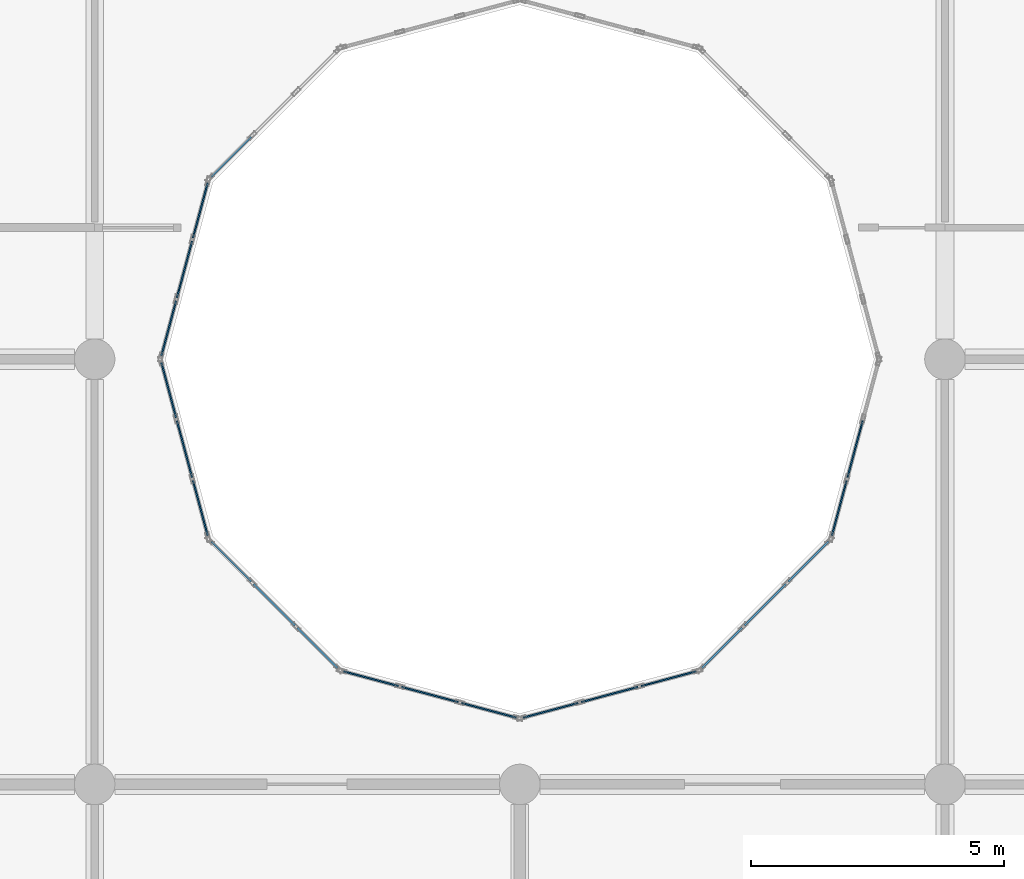
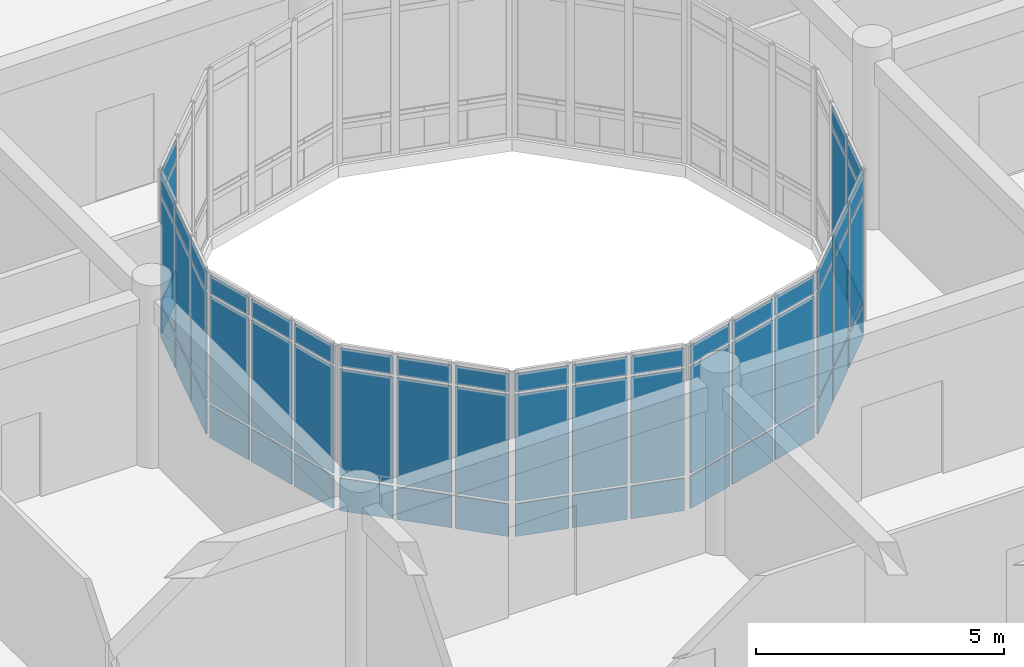
# One storey, part 81 of 144: 63 plates, 8 elements without a shape of their own.
"""IFC4 building model written with IfcOpenShell, lengths in metres."""

from ifc_helpers import new_model, si_unit, direction, frame, origin, origin_2d, place, context, subcontext, project, spatial, rectangle, extrude, material, layer, layer_set, type_object, element, aggregate, save


model = new_model("IFC4")

# Units and contexts
model_context = context("Model", 3, precision=1e-05, world=origin(), true_north=direction((0.0, 1.0)))
body_context = subcontext(model_context, "Body", "Model", "MODEL_VIEW")
ifc_project = project(units=[si_unit("LENGTHUNIT", "METRE"), si_unit("AREAUNIT", "SQUARE_METRE"), si_unit("VOLUMEUNIT", "CUBIC_METRE"), si_unit("PLANEANGLEUNIT", "RADIAN"), si_unit("MASSUNIT", "GRAM", prefix="KILO")], contexts=[model_context])

# Site, building, storey
site_placement = place(None, origin())
site = spatial("IfcSite", under=ifc_project, at=site_placement, CompositionType="ELEMENT")
building_placement = place(site_placement, origin())
building = spatial("IfcBuilding", under=site, at=building_placement, Name="Bramfleet General Hospital", CompositionType="ELEMENT")
storey_placement = place(building_placement, frame((0.0, 0.0, 4.800048828125)))
storey = spatial("IfcBuildingStorey", under=building, at=storey_placement, Name="L01", CompositionType="ELEMENT", Elevation=4.800048828125)

# Curtain wall, plates
ifc_material_1 = material(Name="Anodised aluminium and low-E triple glazing", Category="aluminium")
ifc_layer_1 = layer(ifc_material_1, 0.179931640625, Name="CWT-CW-13")
ifc_layer_set_1 = layer_set([ifc_layer_1], Name="Anodised aluminium and low-E triple glazing")
curtain_wall_type_1 = type_object("IfcCurtainWallType", Name="CWT-CW-13", PredefinedType="USERDEFINED", material=ifc_layer_set_1)
curtain_wall_1_placement = place(storey_placement, origin())
curtain_wall_1 = element("IfcCurtainWall", 1, at=curtain_wall_1_placement, inside=storey, type_object=curtain_wall_type_1, Name="L01 Central Diagnostic Light Court Curtain Wall 1.1", ObjectType="Stick curtain wall", PredefinedType="USERDEFINED")
ifc_material_2 = material(Name="Low-E laminated safety glass", Category="glass")
ifc_layer_2 = layer(ifc_material_2, 0.031982421875, Name="CWP-GLZ-2")
ifc_layer_set_2 = layer_set([ifc_layer_2], Name="Low-E laminated safety glass")
plate_type = type_object("IfcPlateType", Name="CWP-GLZ-2", PredefinedType="CURTAIN_PANEL", material=ifc_layer_set_2)
plate_1_placement = place(storey_placement, frame((77.06298828125, 74.991455078125, 0.06494140625), z_axis=(0.0, 0.0, 1.0), x_axis=(0.258763286618, -0.965940765005, 0.0)))
plate_1 = element("IfcPlate", 2, at=plate_1_placement, type_object=plate_type, Name="CW-13 panel 1.1", PredefinedType="CURTAIN_PANEL", context=body_context, shape_type="SweptSolid", body=[
    extrude(rectangle(XDim=1.1201171875, YDim=0.031982421875, at=origin_2d()), origin(), (0.0, 0.0, 1.0), 0.802490234375),
])
plate_2_placement = place(storey_placement, frame((77.06298828125, 74.991455078125, 0.932373046875), z_axis=(0.0, 0.0, 1.0), x_axis=(0.258763286618, -0.965940765005, 0.0)))
plate_2 = element("IfcPlate", 3, at=plate_2_placement, type_object=plate_type, Name="CW-13 panel 1.2", PredefinedType="CURTAIN_PANEL", context=body_context, shape_type="SweptSolid", body=[
    extrude(rectangle(XDim=1.1201171875, YDim=0.031982421875, at=origin_2d()), origin(), (0.0, 0.0, 1.0), 2.625),
])
plate_3_placement = place(storey_placement, frame((77.06298828125, 74.991455078125, 3.62255859375), z_axis=(0.0, 0.0, 1.0), x_axis=(0.258763286618, -0.965940765005, 0.0)))
plate_3 = element("IfcPlate", 4, at=plate_3_placement, type_object=plate_type, Name="CW-13 panel 1.3", PredefinedType="CURTAIN_PANEL", context=body_context, shape_type="SweptSolid", body=[
    extrude(rectangle(XDim=1.1201171875, YDim=0.031982421875, at=origin_2d()), origin(), (0.0, 0.0, 1.0), 0.452392578125),
])
plate_4_placement = place(storey_placement, frame((77.37548828125, 73.824951171875, 0.06494140625), z_axis=(0.0, 0.0, 1.0), x_axis=(0.258763286618, -0.965940765005, 0.0)))
plate_4 = element("IfcPlate", 5, at=plate_4_placement, type_object=plate_type, Name="CW-13 panel 2.1", PredefinedType="CURTAIN_PANEL", context=body_context, shape_type="SweptSolid", body=[
    extrude(rectangle(XDim=1.155029296875, YDim=0.031982421875, at=origin_2d()), origin(), (0.0, 0.0, 1.0), 0.802490234375),
])
plate_5_placement = place(storey_placement, frame((77.37548828125, 73.824951171875, 0.932373046875), z_axis=(0.0, 0.0, 1.0), x_axis=(0.258763286618, -0.965940765005, 0.0)))
plate_5 = element("IfcPlate", 6, at=plate_5_placement, type_object=plate_type, Name="CW-13 panel 2.2", PredefinedType="CURTAIN_PANEL", context=body_context, shape_type="SweptSolid", body=[
    extrude(rectangle(XDim=1.155029296875, YDim=0.031982421875, at=origin_2d()), origin(), (0.0, 0.0, 1.0), 2.625),
])
plate_6_placement = place(storey_placement, frame((77.37548828125, 73.824951171875, 3.62255859375), z_axis=(0.0, 0.0, 1.0), x_axis=(0.258763286618, -0.965940765005, 0.0)))
plate_6 = element("IfcPlate", 7, at=plate_6_placement, type_object=plate_type, Name="CW-13 panel 2.3", PredefinedType="CURTAIN_PANEL", context=body_context, shape_type="SweptSolid", body=[
    extrude(rectangle(XDim=1.155029296875, YDim=0.031982421875, at=origin_2d()), origin(), (0.0, 0.0, 1.0), 0.452392578125),
])
plate_7_placement = place(storey_placement, frame((77.68798828125, 72.65869140625, 0.06494140625), z_axis=(0.0, 0.0, 1.0), x_axis=(0.258763286618, -0.965940765005, 0.0)))
plate_7 = element("IfcPlate", 8, at=plate_7_placement, type_object=plate_type, Name="CW-13 panel 3.1", PredefinedType="CURTAIN_PANEL", context=body_context, shape_type="SweptSolid", body=[
    extrude(rectangle(XDim=1.1201171875, YDim=0.031982421875, at=origin_2d()), origin(), (0.0, 0.0, 1.0), 0.802490234375),
])
plate_8_placement = place(storey_placement, frame((77.68798828125, 72.65869140625, 0.932373046875), z_axis=(0.0, 0.0, 1.0), x_axis=(0.258763286618, -0.965940765005, 0.0)))
plate_8 = element("IfcPlate", 9, at=plate_8_placement, type_object=plate_type, Name="CW-13 panel 3.2", PredefinedType="CURTAIN_PANEL", context=body_context, shape_type="SweptSolid", body=[
    extrude(rectangle(XDim=1.1201171875, YDim=0.031982421875, at=origin_2d()), origin(), (0.0, 0.0, 1.0), 2.625),
])
plate_9_placement = place(storey_placement, frame((77.68798828125, 72.65869140625, 3.62255859375), z_axis=(0.0, 0.0, 1.0), x_axis=(0.258763286618, -0.965940765005, 0.0)))
plate_9 = element("IfcPlate", 10, at=plate_9_placement, type_object=plate_type, Name="CW-13 panel 3.3", PredefinedType="CURTAIN_PANEL", context=body_context, shape_type="SweptSolid", body=[
    extrude(rectangle(XDim=1.1201171875, YDim=0.031982421875, at=origin_2d()), origin(), (0.0, 0.0, 1.0), 0.452392578125),
])
aggregate(curtain_wall_1, [plate_1, plate_2, plate_3, plate_4, plate_5, plate_6, plate_7, plate_8, plate_9])

ifc_layer_3 = layer(ifc_material_1, 0.179931640625, Name="CWT-CW-14")
ifc_layer_set_3 = layer_set([ifc_layer_3], Name="Anodised aluminium and low-E triple glazing")
curtain_wall_type_2 = type_object("IfcCurtainWallType", Name="CWT-CW-14", PredefinedType="USERDEFINED", material=ifc_layer_set_3)
curtain_wall_2_placement = place(storey_placement, origin())
curtain_wall_2 = element("IfcCurtainWall", 11, at=curtain_wall_2_placement, inside=storey, type_object=curtain_wall_type_2, Name="L01 Central Diagnostic Light Court Curtain Wall 2.1", ObjectType="Stick curtain wall", PredefinedType="USERDEFINED")
plate_10_placement = place(storey_placement, frame((78.296630859375, 71.6044921875, 0.06494140625), z_axis=(0.0, 0.0, 1.0), x_axis=(0.707106781187, -0.707106781187, 0.0)))
plate_10 = element("IfcPlate", 12, at=plate_10_placement, type_object=plate_type, Name="CW-14 panel 1.1", PredefinedType="CURTAIN_PANEL", context=body_context, shape_type="SweptSolid", body=[
    extrude(rectangle(XDim=1.1201171875, YDim=0.031982421875, at=origin_2d()), origin(), (0.0, 0.0, 1.0), 0.802490234375),
])
plate_11_placement = place(storey_placement, frame((78.296630859375, 71.6044921875, 0.932373046875), z_axis=(0.0, 0.0, 1.0), x_axis=(0.707106781187, -0.707106781187, 0.0)))
plate_11 = element("IfcPlate", 13, at=plate_11_placement, type_object=plate_type, Name="CW-14 panel 1.2", PredefinedType="CURTAIN_PANEL", context=body_context, shape_type="SweptSolid", body=[
    extrude(rectangle(XDim=1.1201171875, YDim=0.031982421875, at=origin_2d()), origin(), (0.0, 0.0, 1.0), 2.625),
])
plate_12_placement = place(storey_placement, frame((78.296630859375, 71.6044921875, 3.62255859375), z_axis=(0.0, 0.0, 1.0), x_axis=(0.707106781187, -0.707106781187, 0.0)))
plate_12 = element("IfcPlate", 14, at=plate_12_placement, type_object=plate_type, Name="CW-14 panel 1.3", PredefinedType="CURTAIN_PANEL", context=body_context, shape_type="SweptSolid", body=[
    extrude(rectangle(XDim=1.1201171875, YDim=0.031982421875, at=origin_2d()), origin(), (0.0, 0.0, 1.0), 0.452392578125),
])
plate_13_placement = place(storey_placement, frame((79.150390625, 70.75048828125, 0.06494140625), z_axis=(0.0, 0.0, 1.0), x_axis=(0.707106781187, -0.707106781187, 0.0)))
plate_13 = element("IfcPlate", 15, at=plate_13_placement, type_object=plate_type, Name="CW-14 panel 2.1", PredefinedType="CURTAIN_PANEL", context=body_context, shape_type="SweptSolid", body=[
    extrude(rectangle(XDim=1.1552734375, YDim=0.031982421875, at=origin_2d()), origin(), (0.0, 0.0, 1.0), 0.802490234375),
])
plate_14_placement = place(storey_placement, frame((79.150390625, 70.75048828125, 0.932373046875), z_axis=(0.0, 0.0, 1.0), x_axis=(0.707106781187, -0.707106781187, 0.0)))
plate_14 = element("IfcPlate", 16, at=plate_14_placement, type_object=plate_type, Name="CW-14 panel 2.2", PredefinedType="CURTAIN_PANEL", context=body_context, shape_type="SweptSolid", body=[
    extrude(rectangle(XDim=1.1552734375, YDim=0.031982421875, at=origin_2d()), origin(), (0.0, 0.0, 1.0), 2.625),
])
plate_15_placement = place(storey_placement, frame((79.150390625, 70.75048828125, 3.62255859375), z_axis=(0.0, 0.0, 1.0), x_axis=(0.707106781187, -0.707106781187, 0.0)))
plate_15 = element("IfcPlate", 17, at=plate_15_placement, type_object=plate_type, Name="CW-14 panel 2.3", PredefinedType="CURTAIN_PANEL", context=body_context, shape_type="SweptSolid", body=[
    extrude(rectangle(XDim=1.1552734375, YDim=0.031982421875, at=origin_2d()), origin(), (0.0, 0.0, 1.0), 0.452392578125),
])
plate_16_placement = place(storey_placement, frame((80.00439453125, 69.896484375, 0.06494140625), z_axis=(0.0, 0.0, 1.0), x_axis=(0.707106781187, -0.707106781187, 0.0)))
plate_16 = element("IfcPlate", 18, at=plate_16_placement, type_object=plate_type, Name="CW-14 panel 3.1", PredefinedType="CURTAIN_PANEL", context=body_context, shape_type="SweptSolid", body=[
    extrude(rectangle(XDim=1.1201171875, YDim=0.031982421875, at=origin_2d()), origin(), (0.0, 0.0, 1.0), 0.802490234375),
])
plate_17_placement = place(storey_placement, frame((80.00439453125, 69.896484375, 0.932373046875), z_axis=(0.0, 0.0, 1.0), x_axis=(0.707106781187, -0.707106781187, 0.0)))
plate_17 = element("IfcPlate", 19, at=plate_17_placement, type_object=plate_type, Name="CW-14 panel 3.2", PredefinedType="CURTAIN_PANEL", context=body_context, shape_type="SweptSolid", body=[
    extrude(rectangle(XDim=1.1201171875, YDim=0.031982421875, at=origin_2d()), origin(), (0.0, 0.0, 1.0), 2.625),
])
plate_18_placement = place(storey_placement, frame((80.00439453125, 69.896484375, 3.62255859375), z_axis=(0.0, 0.0, 1.0), x_axis=(0.707106781187, -0.707106781187, 0.0)))
plate_18 = element("IfcPlate", 20, at=plate_18_placement, type_object=plate_type, Name="CW-14 panel 3.3", PredefinedType="CURTAIN_PANEL", context=body_context, shape_type="SweptSolid", body=[
    extrude(rectangle(XDim=1.1201171875, YDim=0.031982421875, at=origin_2d()), origin(), (0.0, 0.0, 1.0), 0.452392578125),
])
aggregate(curtain_wall_2, [plate_10, plate_11, plate_12, plate_13, plate_14, plate_15, plate_16, plate_17, plate_18])

ifc_layer_4 = layer(ifc_material_1, 0.179931640625, Name="CWT-CW-15")
ifc_layer_set_4 = layer_set([ifc_layer_4], Name="Anodised aluminium and low-E triple glazing")
curtain_wall_type_3 = type_object("IfcCurtainWallType", Name="CWT-CW-15", PredefinedType="USERDEFINED", material=ifc_layer_set_4)
curtain_wall_3_placement = place(storey_placement, origin())
curtain_wall_3 = element("IfcCurtainWall", 21, at=curtain_wall_3_placement, inside=storey, type_object=curtain_wall_type_3, Name="L01 Central Diagnostic Light Court Curtain Wall 3.1", ObjectType="Stick curtain wall", PredefinedType="USERDEFINED")
plate_19_placement = place(storey_placement, frame((81.05859375, 69.2880859375, 0.06494140625), z_axis=(0.0, 0.0, 1.0), x_axis=(0.965940765005, -0.258763286618, 0.0)))
plate_19 = element("IfcPlate", 22, at=plate_19_placement, type_object=plate_type, Name="CW-15 panel 1.1", PredefinedType="CURTAIN_PANEL", context=body_context, shape_type="SweptSolid", body=[
    extrude(rectangle(XDim=1.1201171875, YDim=0.031982421875, at=origin_2d()), origin(), (0.0, 0.0, 1.0), 0.802490234375),
])
plate_20_placement = place(storey_placement, frame((81.05859375, 69.2880859375, 0.932373046875), z_axis=(0.0, 0.0, 1.0), x_axis=(0.965940765005, -0.258763286618, 0.0)))
plate_20 = element("IfcPlate", 23, at=plate_20_placement, type_object=plate_type, Name="CW-15 panel 1.2", PredefinedType="CURTAIN_PANEL", context=body_context, shape_type="SweptSolid", body=[
    extrude(rectangle(XDim=1.1201171875, YDim=0.031982421875, at=origin_2d()), origin(), (0.0, 0.0, 1.0), 2.625),
])
plate_21_placement = place(storey_placement, frame((81.05859375, 69.2880859375, 3.62255859375), z_axis=(0.0, 0.0, 1.0), x_axis=(0.965940765005, -0.258763286618, 0.0)))
plate_21 = element("IfcPlate", 24, at=plate_21_placement, type_object=plate_type, Name="CW-15 panel 1.3", PredefinedType="CURTAIN_PANEL", context=body_context, shape_type="SweptSolid", body=[
    extrude(rectangle(XDim=1.1201171875, YDim=0.031982421875, at=origin_2d()), origin(), (0.0, 0.0, 1.0), 0.452392578125),
])
plate_22_placement = place(storey_placement, frame((82.22509765625, 68.9755859375, 0.06494140625), z_axis=(0.0, 0.0, 1.0), x_axis=(0.965940765005, -0.258763286618, 0.0)))
plate_22 = element("IfcPlate", 25, at=plate_22_placement, type_object=plate_type, Name="CW-15 panel 2.1", PredefinedType="CURTAIN_PANEL", context=body_context, shape_type="SweptSolid", body=[
    extrude(rectangle(XDim=1.155029296875, YDim=0.031982421875, at=origin_2d()), origin(), (0.0, 0.0, 1.0), 0.802490234375),
])
plate_23_placement = place(storey_placement, frame((82.22509765625, 68.9755859375, 0.932373046875), z_axis=(0.0, 0.0, 1.0), x_axis=(0.965940765005, -0.258763286618, 0.0)))
plate_23 = element("IfcPlate", 26, at=plate_23_placement, type_object=plate_type, Name="CW-15 panel 2.2", PredefinedType="CURTAIN_PANEL", context=body_context, shape_type="SweptSolid", body=[
    extrude(rectangle(XDim=1.155029296875, YDim=0.031982421875, at=origin_2d()), origin(), (0.0, 0.0, 1.0), 2.625),
])
plate_24_placement = place(storey_placement, frame((82.22509765625, 68.9755859375, 3.62255859375), z_axis=(0.0, 0.0, 1.0), x_axis=(0.965940765005, -0.258763286618, 0.0)))
plate_24 = element("IfcPlate", 27, at=plate_24_placement, type_object=plate_type, Name="CW-15 panel 2.3", PredefinedType="CURTAIN_PANEL", context=body_context, shape_type="SweptSolid", body=[
    extrude(rectangle(XDim=1.155029296875, YDim=0.031982421875, at=origin_2d()), origin(), (0.0, 0.0, 1.0), 0.452392578125),
])
plate_25_placement = place(storey_placement, frame((83.391357421875, 68.6630859375, 0.06494140625), z_axis=(0.0, 0.0, 1.0), x_axis=(0.965940765005, -0.258763286618, 0.0)))
plate_25 = element("IfcPlate", 28, at=plate_25_placement, type_object=plate_type, Name="CW-15 panel 3.1", PredefinedType="CURTAIN_PANEL", context=body_context, shape_type="SweptSolid", body=[
    extrude(rectangle(XDim=1.1201171875, YDim=0.031982421875, at=origin_2d()), origin(), (0.0, 0.0, 1.0), 0.802490234375),
])
plate_26_placement = place(storey_placement, frame((83.391357421875, 68.6630859375, 0.932373046875), z_axis=(0.0, 0.0, 1.0), x_axis=(0.965940765005, -0.258763286618, 0.0)))
plate_26 = element("IfcPlate", 29, at=plate_26_placement, type_object=plate_type, Name="CW-15 panel 3.2", PredefinedType="CURTAIN_PANEL", context=body_context, shape_type="SweptSolid", body=[
    extrude(rectangle(XDim=1.1201171875, YDim=0.031982421875, at=origin_2d()), origin(), (0.0, 0.0, 1.0), 2.625),
])
plate_27_placement = place(storey_placement, frame((83.391357421875, 68.6630859375, 3.62255859375), z_axis=(0.0, 0.0, 1.0), x_axis=(0.965940765005, -0.258763286618, 0.0)))
plate_27 = element("IfcPlate", 30, at=plate_27_placement, type_object=plate_type, Name="CW-15 panel 3.3", PredefinedType="CURTAIN_PANEL", context=body_context, shape_type="SweptSolid", body=[
    extrude(rectangle(XDim=1.1201171875, YDim=0.031982421875, at=origin_2d()), origin(), (0.0, 0.0, 1.0), 0.452392578125),
])
aggregate(curtain_wall_3, [plate_19, plate_20, plate_21, plate_22, plate_23, plate_24, plate_25, plate_26, plate_27])

ifc_layer_5 = layer(ifc_material_1, 0.179931640625, Name="CWT-CW-16")
ifc_layer_set_5 = layer_set([ifc_layer_5], Name="Anodised aluminium and low-E triple glazing")
curtain_wall_type_4 = type_object("IfcCurtainWallType", Name="CWT-CW-16", PredefinedType="USERDEFINED", material=ifc_layer_set_5)
curtain_wall_4_placement = place(storey_placement, origin())
curtain_wall_4 = element("IfcCurtainWall", 31, at=curtain_wall_4_placement, inside=storey, type_object=curtain_wall_type_4, Name="L01 Central Diagnostic Light Court Curtain Wall 4.1", ObjectType="Stick curtain wall", PredefinedType="USERDEFINED")
plate_28_placement = place(storey_placement, frame((84.608642578125, 68.6630859375, 0.06494140625), z_axis=(0.0, 0.0, 1.0), x_axis=(0.965940765005, 0.258763286618, 0.0)))
plate_28 = element("IfcPlate", 32, at=plate_28_placement, type_object=plate_type, Name="CW-16 panel 1.1", PredefinedType="CURTAIN_PANEL", context=body_context, shape_type="SweptSolid", body=[
    extrude(rectangle(XDim=1.1201171875, YDim=0.031982421875, at=origin_2d()), origin(), (0.0, 0.0, 1.0), 0.802490234375),
])
plate_29_placement = place(storey_placement, frame((84.608642578125, 68.6630859375, 0.932373046875), z_axis=(0.0, 0.0, 1.0), x_axis=(0.965940765005, 0.258763286618, 0.0)))
plate_29 = element("IfcPlate", 33, at=plate_29_placement, type_object=plate_type, Name="CW-16 panel 1.2", PredefinedType="CURTAIN_PANEL", context=body_context, shape_type="SweptSolid", body=[
    extrude(rectangle(XDim=1.1201171875, YDim=0.031982421875, at=origin_2d()), origin(), (0.0, 0.0, 1.0), 2.625),
])
plate_30_placement = place(storey_placement, frame((84.608642578125, 68.6630859375, 3.62255859375), z_axis=(0.0, 0.0, 1.0), x_axis=(0.965940765005, 0.258763286618, 0.0)))
plate_30 = element("IfcPlate", 34, at=plate_30_placement, type_object=plate_type, Name="CW-16 panel 1.3", PredefinedType="CURTAIN_PANEL", context=body_context, shape_type="SweptSolid", body=[
    extrude(rectangle(XDim=1.1201171875, YDim=0.031982421875, at=origin_2d()), origin(), (0.0, 0.0, 1.0), 0.452392578125),
])
plate_31_placement = place(storey_placement, frame((85.77490234375, 68.9755859375, 0.06494140625), z_axis=(0.0, 0.0, 1.0), x_axis=(0.965940765005, 0.258763286618, 0.0)))
plate_31 = element("IfcPlate", 35, at=plate_31_placement, type_object=plate_type, Name="CW-16 panel 2.1", PredefinedType="CURTAIN_PANEL", context=body_context, shape_type="SweptSolid", body=[
    extrude(rectangle(XDim=1.155029296875, YDim=0.031982421875, at=origin_2d()), origin(), (0.0, 0.0, 1.0), 0.802490234375),
])
plate_32_placement = place(storey_placement, frame((85.77490234375, 68.9755859375, 0.932373046875), z_axis=(0.0, 0.0, 1.0), x_axis=(0.965940765005, 0.258763286618, 0.0)))
plate_32 = element("IfcPlate", 36, at=plate_32_placement, type_object=plate_type, Name="CW-16 panel 2.2", PredefinedType="CURTAIN_PANEL", context=body_context, shape_type="SweptSolid", body=[
    extrude(rectangle(XDim=1.155029296875, YDim=0.031982421875, at=origin_2d()), origin(), (0.0, 0.0, 1.0), 2.625),
])
plate_33_placement = place(storey_placement, frame((85.77490234375, 68.9755859375, 3.62255859375), z_axis=(0.0, 0.0, 1.0), x_axis=(0.965940765005, 0.258763286618, 0.0)))
plate_33 = element("IfcPlate", 37, at=plate_33_placement, type_object=plate_type, Name="CW-16 panel 2.3", PredefinedType="CURTAIN_PANEL", context=body_context, shape_type="SweptSolid", body=[
    extrude(rectangle(XDim=1.155029296875, YDim=0.031982421875, at=origin_2d()), origin(), (0.0, 0.0, 1.0), 0.452392578125),
])
plate_34_placement = place(storey_placement, frame((86.94140625, 69.2880859375, 0.06494140625), z_axis=(0.0, 0.0, 1.0), x_axis=(0.965940765005, 0.258763286618, 0.0)))
plate_34 = element("IfcPlate", 38, at=plate_34_placement, type_object=plate_type, Name="CW-16 panel 3.1", PredefinedType="CURTAIN_PANEL", context=body_context, shape_type="SweptSolid", body=[
    extrude(rectangle(XDim=1.1201171875, YDim=0.031982421875, at=origin_2d()), origin(), (0.0, 0.0, 1.0), 0.802490234375),
])
plate_35_placement = place(storey_placement, frame((86.94140625, 69.2880859375, 0.932373046875), z_axis=(0.0, 0.0, 1.0), x_axis=(0.965940765005, 0.258763286618, 0.0)))
plate_35 = element("IfcPlate", 39, at=plate_35_placement, type_object=plate_type, Name="CW-16 panel 3.2", PredefinedType="CURTAIN_PANEL", context=body_context, shape_type="SweptSolid", body=[
    extrude(rectangle(XDim=1.1201171875, YDim=0.031982421875, at=origin_2d()), origin(), (0.0, 0.0, 1.0), 2.625),
])
plate_36_placement = place(storey_placement, frame((86.94140625, 69.2880859375, 3.62255859375), z_axis=(0.0, 0.0, 1.0), x_axis=(0.965940765005, 0.258763286618, 0.0)))
plate_36 = element("IfcPlate", 40, at=plate_36_placement, type_object=plate_type, Name="CW-16 panel 3.3", PredefinedType="CURTAIN_PANEL", context=body_context, shape_type="SweptSolid", body=[
    extrude(rectangle(XDim=1.1201171875, YDim=0.031982421875, at=origin_2d()), origin(), (0.0, 0.0, 1.0), 0.452392578125),
])
aggregate(curtain_wall_4, [plate_28, plate_29, plate_30, plate_31, plate_32, plate_33, plate_34, plate_35, plate_36])

ifc_layer_6 = layer(ifc_material_1, 0.179931640625, Name="CWT-CW-17")
ifc_layer_set_6 = layer_set([ifc_layer_6], Name="Anodised aluminium and low-E triple glazing")
curtain_wall_type_5 = type_object("IfcCurtainWallType", Name="CWT-CW-17", PredefinedType="USERDEFINED", material=ifc_layer_set_6)
curtain_wall_5_placement = place(storey_placement, origin())
curtain_wall_5 = element("IfcCurtainWall", 41, at=curtain_wall_5_placement, inside=storey, type_object=curtain_wall_type_5, Name="L01 Central Diagnostic Light Court Curtain Wall 5.1", ObjectType="Stick curtain wall", PredefinedType="USERDEFINED")
plate_37_placement = place(storey_placement, frame((87.99560546875, 69.896484375, 0.06494140625), z_axis=(0.0, 0.0, 1.0), x_axis=(0.707106781187, 0.707106781187, 0.0)))
plate_37 = element("IfcPlate", 42, at=plate_37_placement, type_object=plate_type, Name="CW-17 panel 1.1", PredefinedType="CURTAIN_PANEL", context=body_context, shape_type="SweptSolid", body=[
    extrude(rectangle(XDim=1.1201171875, YDim=0.031982421875, at=origin_2d()), origin(), (0.0, 0.0, 1.0), 0.802490234375),
])
plate_38_placement = place(storey_placement, frame((87.99560546875, 69.896484375, 0.932373046875), z_axis=(0.0, 0.0, 1.0), x_axis=(0.707106781187, 0.707106781187, 0.0)))
plate_38 = element("IfcPlate", 43, at=plate_38_placement, type_object=plate_type, Name="CW-17 panel 1.2", PredefinedType="CURTAIN_PANEL", context=body_context, shape_type="SweptSolid", body=[
    extrude(rectangle(XDim=1.1201171875, YDim=0.031982421875, at=origin_2d()), origin(), (0.0, 0.0, 1.0), 2.625),
])
plate_39_placement = place(storey_placement, frame((87.99560546875, 69.896484375, 3.62255859375), z_axis=(0.0, 0.0, 1.0), x_axis=(0.707106781187, 0.707106781187, 0.0)))
plate_39 = element("IfcPlate", 44, at=plate_39_placement, type_object=plate_type, Name="CW-17 panel 1.3", PredefinedType="CURTAIN_PANEL", context=body_context, shape_type="SweptSolid", body=[
    extrude(rectangle(XDim=1.1201171875, YDim=0.031982421875, at=origin_2d()), origin(), (0.0, 0.0, 1.0), 0.452392578125),
])
plate_40_placement = place(storey_placement, frame((88.849609375, 70.75048828125, 0.06494140625), z_axis=(0.0, 0.0, 1.0), x_axis=(0.707106781187, 0.707106781187, 0.0)))
plate_40 = element("IfcPlate", 45, at=plate_40_placement, type_object=plate_type, Name="CW-17 panel 2.1", PredefinedType="CURTAIN_PANEL", context=body_context, shape_type="SweptSolid", body=[
    extrude(rectangle(XDim=1.1552734375, YDim=0.031982421875, at=origin_2d()), origin(), (0.0, 0.0, 1.0), 0.802490234375),
])
plate_41_placement = place(storey_placement, frame((88.849609375, 70.75048828125, 0.932373046875), z_axis=(0.0, 0.0, 1.0), x_axis=(0.707106781187, 0.707106781187, 0.0)))
plate_41 = element("IfcPlate", 46, at=plate_41_placement, type_object=plate_type, Name="CW-17 panel 2.2", PredefinedType="CURTAIN_PANEL", context=body_context, shape_type="SweptSolid", body=[
    extrude(rectangle(XDim=1.1552734375, YDim=0.031982421875, at=origin_2d()), origin(), (0.0, 0.0, 1.0), 2.625),
])
plate_42_placement = place(storey_placement, frame((88.849609375, 70.75048828125, 3.62255859375), z_axis=(0.0, 0.0, 1.0), x_axis=(0.707106781187, 0.707106781187, 0.0)))
plate_42 = element("IfcPlate", 47, at=plate_42_placement, type_object=plate_type, Name="CW-17 panel 2.3", PredefinedType="CURTAIN_PANEL", context=body_context, shape_type="SweptSolid", body=[
    extrude(rectangle(XDim=1.1552734375, YDim=0.031982421875, at=origin_2d()), origin(), (0.0, 0.0, 1.0), 0.452392578125),
])
plate_43_placement = place(storey_placement, frame((89.703369140625, 71.6044921875, 0.06494140625), z_axis=(0.0, 0.0, 1.0), x_axis=(0.707106781187, 0.707106781187, 0.0)))
plate_43 = element("IfcPlate", 48, at=plate_43_placement, type_object=plate_type, Name="CW-17 panel 3.1", PredefinedType="CURTAIN_PANEL", context=body_context, shape_type="SweptSolid", body=[
    extrude(rectangle(XDim=1.1201171875, YDim=0.031982421875, at=origin_2d()), origin(), (0.0, 0.0, 1.0), 0.802490234375),
])
plate_44_placement = place(storey_placement, frame((89.703369140625, 71.6044921875, 0.932373046875), z_axis=(0.0, 0.0, 1.0), x_axis=(0.707106781187, 0.707106781187, 0.0)))
plate_44 = element("IfcPlate", 49, at=plate_44_placement, type_object=plate_type, Name="CW-17 panel 3.2", PredefinedType="CURTAIN_PANEL", context=body_context, shape_type="SweptSolid", body=[
    extrude(rectangle(XDim=1.1201171875, YDim=0.031982421875, at=origin_2d()), origin(), (0.0, 0.0, 1.0), 2.625),
])
plate_45_placement = place(storey_placement, frame((89.703369140625, 71.6044921875, 3.62255859375), z_axis=(0.0, 0.0, 1.0), x_axis=(0.707106781187, 0.707106781187, 0.0)))
plate_45 = element("IfcPlate", 50, at=plate_45_placement, type_object=plate_type, Name="CW-17 panel 3.3", PredefinedType="CURTAIN_PANEL", context=body_context, shape_type="SweptSolid", body=[
    extrude(rectangle(XDim=1.1201171875, YDim=0.031982421875, at=origin_2d()), origin(), (0.0, 0.0, 1.0), 0.452392578125),
])
aggregate(curtain_wall_5, [plate_37, plate_38, plate_39, plate_40, plate_41, plate_42, plate_43, plate_44, plate_45])

ifc_layer_7 = layer(ifc_material_1, 0.179931640625, Name="CWT-CW-18")
ifc_layer_set_7 = layer_set([ifc_layer_7], Name="Anodised aluminium and low-E triple glazing")
curtain_wall_type_6 = type_object("IfcCurtainWallType", Name="CWT-CW-18", PredefinedType="USERDEFINED", material=ifc_layer_set_7)
curtain_wall_6_placement = place(storey_placement, origin())
curtain_wall_6 = element("IfcCurtainWall", 51, at=curtain_wall_6_placement, inside=storey, type_object=curtain_wall_type_6, Name="L01 Central Diagnostic Light Court Curtain Wall 6.1", ObjectType="Stick curtain wall", PredefinedType="USERDEFINED")
plate_46_placement = place(storey_placement, frame((90.31201171875, 72.65869140625, 0.06494140625), z_axis=(0.0, 0.0, 1.0), x_axis=(0.258763286618, 0.965940765005, 0.0)))
plate_46 = element("IfcPlate", 52, at=plate_46_placement, type_object=plate_type, Name="CW-18 panel 1.1", PredefinedType="CURTAIN_PANEL", context=body_context, shape_type="SweptSolid", body=[
    extrude(rectangle(XDim=1.1201171875, YDim=0.031982421875, at=origin_2d()), origin(), (0.0, 0.0, 1.0), 0.802490234375),
])
plate_47_placement = place(storey_placement, frame((90.31201171875, 72.65869140625, 0.932373046875), z_axis=(0.0, 0.0, 1.0), x_axis=(0.258763286618, 0.965940765005, 0.0)))
plate_47 = element("IfcPlate", 53, at=plate_47_placement, type_object=plate_type, Name="CW-18 panel 1.2", PredefinedType="CURTAIN_PANEL", context=body_context, shape_type="SweptSolid", body=[
    extrude(rectangle(XDim=1.1201171875, YDim=0.031982421875, at=origin_2d()), origin(), (0.0, 0.0, 1.0), 2.625),
])
plate_48_placement = place(storey_placement, frame((90.31201171875, 72.65869140625, 3.62255859375), z_axis=(0.0, 0.0, 1.0), x_axis=(0.258763286618, 0.965940765005, 0.0)))
plate_48 = element("IfcPlate", 54, at=plate_48_placement, type_object=plate_type, Name="CW-18 panel 1.3", PredefinedType="CURTAIN_PANEL", context=body_context, shape_type="SweptSolid", body=[
    extrude(rectangle(XDim=1.1201171875, YDim=0.031982421875, at=origin_2d()), origin(), (0.0, 0.0, 1.0), 0.452392578125),
])
plate_49_placement = place(storey_placement, frame((90.62451171875, 73.824951171875, 0.06494140625), z_axis=(0.0, 0.0, 1.0), x_axis=(0.258763286618, 0.965940765005, 0.0)))
plate_49 = element("IfcPlate", 55, at=plate_49_placement, type_object=plate_type, Name="CW-18 panel 2.1", PredefinedType="CURTAIN_PANEL", context=body_context, shape_type="SweptSolid", body=[
    extrude(rectangle(XDim=1.155029296875, YDim=0.031982421875, at=origin_2d()), origin(), (0.0, 0.0, 1.0), 0.802490234375),
])
plate_50_placement = place(storey_placement, frame((90.62451171875, 73.824951171875, 0.932373046875), z_axis=(0.0, 0.0, 1.0), x_axis=(0.258763286618, 0.965940765005, 0.0)))
plate_50 = element("IfcPlate", 56, at=plate_50_placement, type_object=plate_type, Name="CW-18 panel 2.2", PredefinedType="CURTAIN_PANEL", context=body_context, shape_type="SweptSolid", body=[
    extrude(rectangle(XDim=1.155029296875, YDim=0.031982421875, at=origin_2d()), origin(), (0.0, 0.0, 1.0), 2.625),
])
plate_51_placement = place(storey_placement, frame((90.62451171875, 73.824951171875, 3.62255859375), z_axis=(0.0, 0.0, 1.0), x_axis=(0.258763286618, 0.965940765005, 0.0)))
plate_51 = element("IfcPlate", 57, at=plate_51_placement, type_object=plate_type, Name="CW-18 panel 2.3", PredefinedType="CURTAIN_PANEL", context=body_context, shape_type="SweptSolid", body=[
    extrude(rectangle(XDim=1.155029296875, YDim=0.031982421875, at=origin_2d()), origin(), (0.0, 0.0, 1.0), 0.452392578125),
])
aggregate(curtain_wall_6, [plate_46, plate_47, plate_48, plate_49, plate_50, plate_51])

curtain_wall_7_placement = place(storey_placement, origin())
curtain_wall_7 = element("IfcCurtainWall", 58, at=curtain_wall_7_placement, inside=storey, type_object=curtain_wall_type_3, Name="L01 Central Diagnostic Light Court Curtain Wall 11.1", ObjectType="Stick curtain wall", PredefinedType="USERDEFINED")
plate_52_placement = place(storey_placement, frame((78.296630859375, 79.595458984375, 0.06494140625), z_axis=(0.0, 0.0, 1.0), x_axis=(-0.707106781187, -0.707106781187, 0.0)))
plate_52 = element("IfcPlate", 59, at=plate_52_placement, type_object=plate_type, Name="CW-15 panel 3.1", PredefinedType="CURTAIN_PANEL", context=body_context, shape_type="SweptSolid", body=[
    extrude(rectangle(XDim=1.1201171875, YDim=0.031982421875, at=origin_2d()), origin(), (0.0, 0.0, 1.0), 0.802490234375),
])
plate_53_placement = place(storey_placement, frame((78.296630859375, 79.595458984375, 0.932373046875), z_axis=(0.0, 0.0, 1.0), x_axis=(-0.707106781187, -0.707106781187, 0.0)))
plate_53 = element("IfcPlate", 60, at=plate_53_placement, type_object=plate_type, Name="CW-15 panel 3.2", PredefinedType="CURTAIN_PANEL", context=body_context, shape_type="SweptSolid", body=[
    extrude(rectangle(XDim=1.1201171875, YDim=0.031982421875, at=origin_2d()), origin(), (0.0, 0.0, 1.0), 2.625),
])
plate_54_placement = place(storey_placement, frame((78.296630859375, 79.595458984375, 3.62255859375), z_axis=(0.0, 0.0, 1.0), x_axis=(-0.707106781187, -0.707106781187, 0.0)))
plate_54 = element("IfcPlate", 61, at=plate_54_placement, type_object=plate_type, Name="CW-15 panel 3.3", PredefinedType="CURTAIN_PANEL", context=body_context, shape_type="SweptSolid", body=[
    extrude(rectangle(XDim=1.1201171875, YDim=0.031982421875, at=origin_2d()), origin(), (0.0, 0.0, 1.0), 0.452392578125),
])
aggregate(curtain_wall_7, [plate_52, plate_53, plate_54])

curtain_wall_8_placement = place(storey_placement, origin())
curtain_wall_8 = element("IfcCurtainWall", 62, at=curtain_wall_8_placement, inside=storey, type_object=curtain_wall_type_4, Name="L01 Central Diagnostic Light Court Curtain Wall 12.1", ObjectType="Stick curtain wall", PredefinedType="USERDEFINED")
plate_55_placement = place(storey_placement, frame((77.68798828125, 78.54150390625, 0.06494140625), z_axis=(0.0, 0.0, 1.0), x_axis=(-0.258763286618, -0.965940765005, 0.0)))
plate_55 = element("IfcPlate", 63, at=plate_55_placement, type_object=plate_type, Name="CW-16 panel 1.1", PredefinedType="CURTAIN_PANEL", context=body_context, shape_type="SweptSolid", body=[
    extrude(rectangle(XDim=1.1201171875, YDim=0.031982421875, at=origin_2d()), origin(), (0.0, 0.0, 1.0), 0.802490234375),
])
plate_56_placement = place(storey_placement, frame((77.68798828125, 78.54150390625, 0.932373046875), z_axis=(0.0, 0.0, 1.0), x_axis=(-0.258763286618, -0.965940765005, 0.0)))
plate_56 = element("IfcPlate", 64, at=plate_56_placement, type_object=plate_type, Name="CW-16 panel 1.2", PredefinedType="CURTAIN_PANEL", context=body_context, shape_type="SweptSolid", body=[
    extrude(rectangle(XDim=1.1201171875, YDim=0.031982421875, at=origin_2d()), origin(), (0.0, 0.0, 1.0), 2.625),
])
plate_57_placement = place(storey_placement, frame((77.68798828125, 78.54150390625, 3.62255859375), z_axis=(0.0, 0.0, 1.0), x_axis=(-0.258763286618, -0.965940765005, 0.0)))
plate_57 = element("IfcPlate", 65, at=plate_57_placement, type_object=plate_type, Name="CW-16 panel 1.3", PredefinedType="CURTAIN_PANEL", context=body_context, shape_type="SweptSolid", body=[
    extrude(rectangle(XDim=1.1201171875, YDim=0.031982421875, at=origin_2d()), origin(), (0.0, 0.0, 1.0), 0.452392578125),
])
plate_58_placement = place(storey_placement, frame((77.37548828125, 77.375, 0.06494140625), z_axis=(0.0, 0.0, 1.0), x_axis=(-0.258763286618, -0.965940765005, 0.0)))
plate_58 = element("IfcPlate", 66, at=plate_58_placement, type_object=plate_type, Name="CW-16 panel 2.1", PredefinedType="CURTAIN_PANEL", context=body_context, shape_type="SweptSolid", body=[
    extrude(rectangle(XDim=1.155029296875, YDim=0.031982421875, at=origin_2d()), origin(), (0.0, 0.0, 1.0), 0.802490234375),
])
plate_59_placement = place(storey_placement, frame((77.37548828125, 77.375, 0.932373046875), z_axis=(0.0, 0.0, 1.0), x_axis=(-0.258763286618, -0.965940765005, 0.0)))
plate_59 = element("IfcPlate", 67, at=plate_59_placement, type_object=plate_type, Name="CW-16 panel 2.2", PredefinedType="CURTAIN_PANEL", context=body_context, shape_type="SweptSolid", body=[
    extrude(rectangle(XDim=1.155029296875, YDim=0.031982421875, at=origin_2d()), origin(), (0.0, 0.0, 1.0), 2.625),
])
plate_60_placement = place(storey_placement, frame((77.37548828125, 77.375, 3.62255859375), z_axis=(0.0, 0.0, 1.0), x_axis=(-0.258763286618, -0.965940765005, 0.0)))
plate_60 = element("IfcPlate", 68, at=plate_60_placement, type_object=plate_type, Name="CW-16 panel 2.3", PredefinedType="CURTAIN_PANEL", context=body_context, shape_type="SweptSolid", body=[
    extrude(rectangle(XDim=1.155029296875, YDim=0.031982421875, at=origin_2d()), origin(), (0.0, 0.0, 1.0), 0.452392578125),
])
plate_61_placement = place(storey_placement, frame((77.06298828125, 76.20849609375, 0.06494140625), z_axis=(0.0, 0.0, 1.0), x_axis=(-0.258763286618, -0.965940765005, 0.0)))
plate_61 = element("IfcPlate", 69, at=plate_61_placement, type_object=plate_type, Name="CW-16 panel 3.1", PredefinedType="CURTAIN_PANEL", context=body_context, shape_type="SweptSolid", body=[
    extrude(rectangle(XDim=1.1201171875, YDim=0.031982421875, at=origin_2d()), origin(), (0.0, 0.0, 1.0), 0.802490234375),
])
plate_62_placement = place(storey_placement, frame((77.06298828125, 76.20849609375, 0.932373046875), z_axis=(0.0, 0.0, 1.0), x_axis=(-0.258763286618, -0.965940765005, 0.0)))
plate_62 = element("IfcPlate", 70, at=plate_62_placement, type_object=plate_type, Name="CW-16 panel 3.2", PredefinedType="CURTAIN_PANEL", context=body_context, shape_type="SweptSolid", body=[
    extrude(rectangle(XDim=1.1201171875, YDim=0.031982421875, at=origin_2d()), origin(), (0.0, 0.0, 1.0), 2.625),
])
plate_63_placement = place(storey_placement, frame((77.06298828125, 76.20849609375, 3.62255859375), z_axis=(0.0, 0.0, 1.0), x_axis=(-0.258763286618, -0.965940765005, 0.0)))
plate_63 = element("IfcPlate", 71, at=plate_63_placement, type_object=plate_type, Name="CW-16 panel 3.3", PredefinedType="CURTAIN_PANEL", context=body_context, shape_type="SweptSolid", body=[
    extrude(rectangle(XDim=1.1201171875, YDim=0.031982421875, at=origin_2d()), origin(), (0.0, 0.0, 1.0), 0.452392578125),
])
aggregate(curtain_wall_8, [plate_55, plate_56, plate_57, plate_58, plate_59, plate_60, plate_61, plate_62, plate_63])

save(model, "model.ifc")
